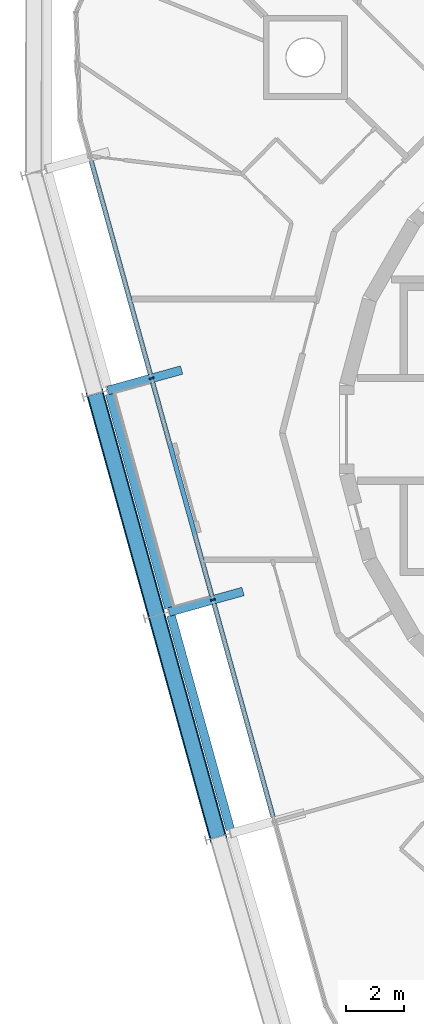
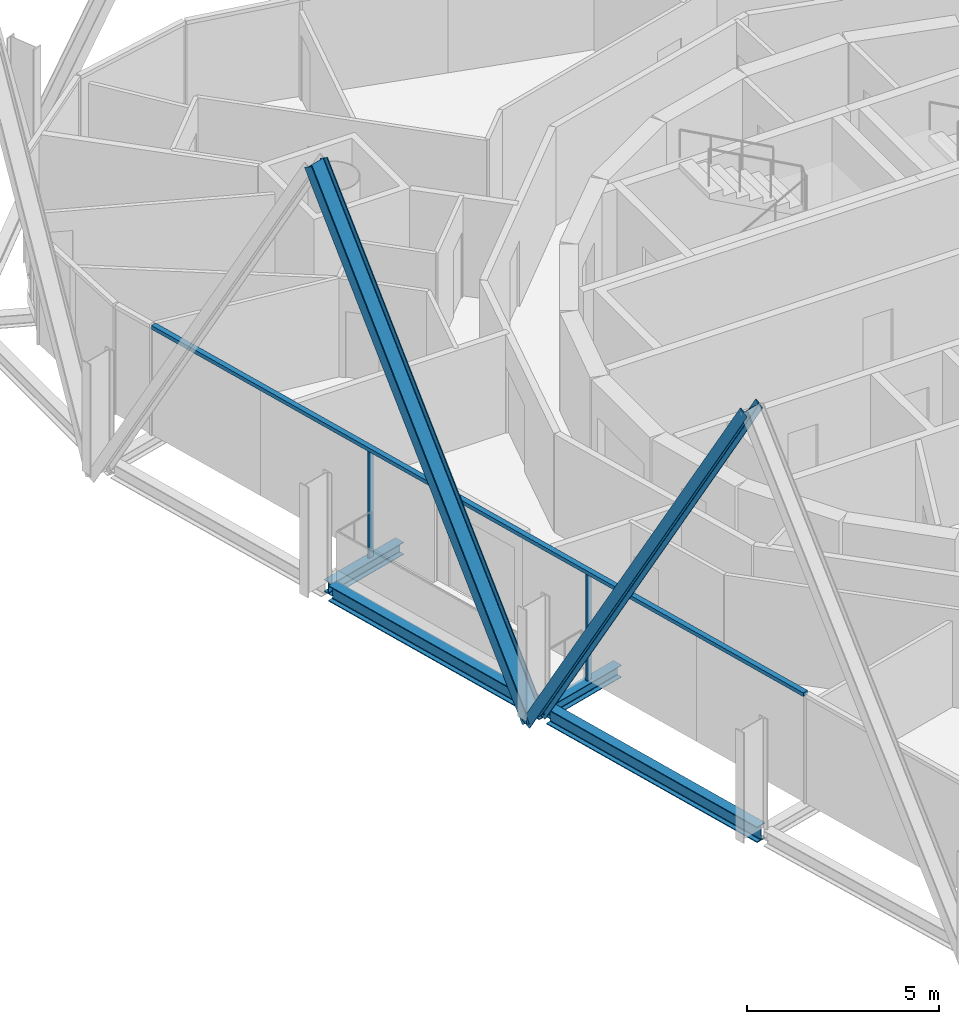
# One storey, part 3 of 15: 5 members, 4 beams, 1 element without a shape of its own.
"""IFC4 building model written with IfcOpenShell, lengths in metres."""

from ifc_helpers import new_model, si_unit, direction, frame, origin, origin_2d, place, context, subcontext, project, spatial, rectangle, i_section, extrude, material, layer, layer_set, material_profile, profile_set, type_object, element, aggregate, save


model = new_model("IFC4")

# Units and contexts
model_context = context("Model", 3, precision=1e-05, world=origin(), true_north=direction((0.0, 1.0)))
body_context = subcontext(model_context, "Body", "Model", "MODEL_VIEW")
ifc_project = project(units=[si_unit("LENGTHUNIT", "METRE"), si_unit("AREAUNIT", "SQUARE_METRE"), si_unit("VOLUMEUNIT", "CUBIC_METRE"), si_unit("PLANEANGLEUNIT", "RADIAN"), si_unit("MASSUNIT", "GRAM", prefix="KILO")], contexts=[model_context])

# Site, building, storey
site_placement = place(None, origin())
site = spatial("IfcSite", under=ifc_project, at=site_placement, CompositionType="ELEMENT")
building_placement = place(site_placement, origin())
building = spatial("IfcBuilding", under=site, at=building_placement, Name="Spindle Arch Residences", CompositionType="ELEMENT")
storey_placement = place(building_placement, frame((0.0, 0.0, 312.199951171875)))
storey = spatial("IfcBuildingStorey", under=building, at=storey_placement, Name="L80", CompositionType="ELEMENT", Elevation=312.199951171875)

# Curtain wall, members
ifc_material_1 = material(Name="Aluminium bronze unitised frame with tinted glass", Category="aluminium")
ifc_layer = layer(ifc_material_1, 0.159912109375)
ifc_layer_set = layer_set([ifc_layer], Name="CW-C typical residential unitised wall")
curtain_wall_type = type_object("IfcCurtainWallType", Name="CW-C typical residential unitised wall", PredefinedType="NOTDEFINED", material=ifc_layer_set)
curtain_wall_placement = place(storey_placement, origin())
curtain_wall = element("IfcCurtainWall", 1, at=curtain_wall_placement, inside=storey, type_object=curtain_wall_type, Name="CW-C L80 run 4", PredefinedType="NOTDEFINED")
ifc_material_2 = material(Name="Aluminium bronze anodised mullion", Category="aluminium")
ifc_material_profile_1 = material_profile(ifc_material_2, rectangle(XDim=0.159912109375, YDim=0.06005859375, at=origin_2d()), Name="MU 60x160")
ifc_profile_set_1 = profile_set([ifc_material_profile_1], Name="Aluminium bronze anodised mullion")
member_type_1 = type_object("IfcMemberType", Name="Bronze mullion 60x160", PredefinedType="MULLION", material=ifc_profile_set_1)
member_1_placement = place(storey_placement, frame((-18.384521484375, 1.763671875, -0.3798828125), z_axis=(0.0, 0.0, 1.0), x_axis=(0.963630453209, 0.267238376078, 0.0)))
member_1 = element("IfcMember", 2, at=member_1_placement, type_object=member_type_1, Name="CW-C mullion 12", PredefinedType="MULLION", context=body_context, shape_type="SweptSolid", body=[
    extrude(rectangle(XDim=0.159912109375, YDim=0.06005859375, at=origin_2d()), origin(), (0.0, 0.0, 1.0), 3.3798828125),
])
member_2_placement = place(storey_placement, frame((-16.263916015625, -5.8828125, -0.3798828125), z_axis=(0.0, 0.0, 1.0), x_axis=(0.963630453209, 0.267238376078, 0.0)))
member_2 = element("IfcMember", 3, at=member_2_placement, type_object=member_type_1, Name="CW-C mullion 13", PredefinedType="MULLION", context=body_context, shape_type="SweptSolid", body=[
    extrude(rectangle(XDim=0.159912109375, YDim=0.06005859375, at=origin_2d()), origin(), (0.0, 0.0, 1.0), 3.3798828125),
])
ifc_material_3 = material(Name="Aluminium bronze anodised transom", Category="aluminium")
ifc_material_profile_2 = material_profile(ifc_material_3, rectangle(XDim=0.159912109375, YDim=0.1201171875, at=origin_2d()), Name="TR 120x160")
ifc_profile_set_2 = profile_set([ifc_material_profile_2], Name="Aluminium bronze anodised transom")
member_type_2 = type_object("IfcMemberType", Name="Bronze transom 120x160", PredefinedType="USERDEFINED", material=ifc_profile_set_2)
member_3_placement = place(storey_placement, frame((-20.4970703125, 9.38134765625, 3.06005859375), z_axis=(0.267238704816, -0.963630362041, 0.0), x_axis=(0.963630362041, 0.267238704816, 0.0)))
member_3 = element("IfcMember", 4, at=member_3_placement, type_object=member_type_2, Name="CW-C transom 00", ObjectType="TRANSOM", PredefinedType="USERDEFINED", context=body_context, shape_type="SweptSolid", body=[
    extrude(rectangle(XDim=0.159912109375, YDim=0.1201171875, at=origin_2d()), origin(), (0.0, 0.0, 1.0), 23.745361328125),
])
aggregate(curtain_wall, [member_3, member_1, member_2])

# Members
ifc_material_4 = material(Name="Steel S460ML, intumescent coating R 240", Category="steel")
ifc_material_profile_3 = material_profile(ifc_material_4, i_section(OverallWidth=0.300048828125, OverallDepth=0.60009765625, WebThickness=0.015380859375, FlangeThickness=0.030029296875, FilletRadius=0.027099609375, at=origin_2d()), Name="HEB 600")
ifc_profile_set_3 = profile_set([ifc_material_profile_3], Name="Steel S460ML, intumescent coating R 240")
member_type_3 = type_object("IfcMemberType", Name="Diagrid diagonal HEB 600", PredefinedType="BRACE", material=ifc_profile_set_3)
for number, where, z_axis, x_axis, name in (
    (5, (-18.210693359375, -6.422607421875, -0.6298828125), (-0.133395958696, 0.481054856231, 0.866482396532), (0.231537427206, -0.834974348889, 0.499207628647), "Diagrid diagonal 8.2.13"),
    (6, (-18.210693359375, -6.422607421875, -0.6298828125), (0.133411044689, -0.481053870555, 0.866480621121), (-0.231561708301, 0.834965772968, 0.499210710243), "Diagrid diagonal 8.2.14"),
):
    element("IfcMember", number, at=place(storey_placement, frame(where, z_axis=z_axis, x_axis=x_axis)), inside=storey, type_object=member_type_3, Name=name, PredefinedType="BRACE", context=body_context, shape_type="SweptSolid", body=[
        extrude(i_section(OverallWidth=0.300048828125, OverallDepth=0.60009765625, WebThickness=0.015380859375, FlangeThickness=0.030029296875, FilletRadius=0.027099609375, at=origin_2d()), origin(), (0.0, 0.0, 1.0), 15.895263671875),
    ])

# Beams
ifc_material_5 = material(Name="Steel S460ML, intumescent coating R 120", Category="steel")
ifc_material_profile_4 = material_profile(ifc_material_5, i_section(OverallWidth=0.300048828125, OverallDepth=0.5, WebThickness=0.014404296875, FlangeThickness=0.028076171875, FilletRadius=0.027099609375, at=origin_2d()), Name="HEB 500")
ifc_profile_set_4 = profile_set([ifc_material_profile_4], Name="Steel S460ML, intumescent coating R 120")
beam_type_1 = type_object("IfcBeamType", Name="Exoskeleton edge beam HEB 500", PredefinedType="BEAM", material=ifc_profile_set_4)
beam_1_placement = place(storey_placement, frame((-19.833740234375, 1.226806640625, -0.6298828125), z_axis=(0.26723040865, -0.963632662737, 0.0), x_axis=(0.963632662737, 0.26723040865, 0.0)))
element("IfcBeam", 7, at=beam_1_placement, inside=storey, type_object=beam_type_1, Name="Exoskeleton edge beam 13", PredefinedType="BEAM", context=body_context, shape_type="SweptSolid", body=[
    extrude(i_section(OverallWidth=0.300048828125, OverallDepth=0.5, WebThickness=0.014404296875, FlangeThickness=0.028076171875, FilletRadius=0.027099609375, at=origin_2d()), origin(), (0.0, 0.0, 1.0), 7.675048828125),
])
beam_2_placement = place(storey_placement, frame((-17.71337890625, -6.419677734375, -0.6298828125), z_axis=(0.267259946058, -0.963624471064, 0.0), x_axis=(0.963624471064, 0.267259946058, 0.0)))
element("IfcBeam", 8, at=beam_2_placement, inside=storey, type_object=beam_type_1, Name="Exoskeleton edge beam 14", PredefinedType="BEAM", context=body_context, shape_type="SweptSolid", body=[
    extrude(i_section(OverallWidth=0.300048828125, OverallDepth=0.5, WebThickness=0.014404296875, FlangeThickness=0.028076171875, FilletRadius=0.027099609375, at=origin_2d()), origin(), (0.0, 0.0, 1.0), 7.67529296875),
])
ifc_material_6 = material(Name="Steel S460ML, intumescent coating R 120", Category="steel")
ifc_material_profile_5 = material_profile(ifc_material_6, i_section(OverallWidth=0.300048828125, OverallDepth=0.389892578125, WebThickness=0.010986328125, FlangeThickness=0.01904296875, FilletRadius=0.027099609375, at=origin_2d()), Name="HEA 400")
ifc_profile_set_5 = profile_set([ifc_material_profile_5], Name="Steel S460ML, intumescent coating R 120")
beam_type_2 = type_object("IfcBeamType", Name="Floor outrigger HEA 400", PredefinedType="BEAM", material=ifc_profile_set_5)
for number, where, z_axis, x_axis, name in (
    (9, (-19.8974609375, 1.343994140625, -0.574951171875), (0.963626057771, 0.267254225009, 0.0), (-0.267254225009, 0.963626057771, 0.0), "Floor outrigger 13"),
    (10, (-17.777099609375, -6.302490234375, -0.574951171875), (0.963626057771, 0.267254225009, 0.0), (-0.267254225009, 0.963626057771, 0.0), "Floor outrigger 14"),
):
    element("IfcBeam", number, at=place(storey_placement, frame(where, z_axis=z_axis, x_axis=x_axis)), inside=storey, type_object=beam_type_2, Name=name, PredefinedType="BEAM", context=body_context, shape_type="SweptSolid", body=[
        extrude(i_section(OverallWidth=0.300048828125, OverallDepth=0.389892578125, WebThickness=0.010986328125, FlangeThickness=0.01904296875, FilletRadius=0.027099609375, at=origin_2d()), origin(), (0.0, 0.0, 1.0), 2.650146484375),
    ])

save(model, "model.ifc")
